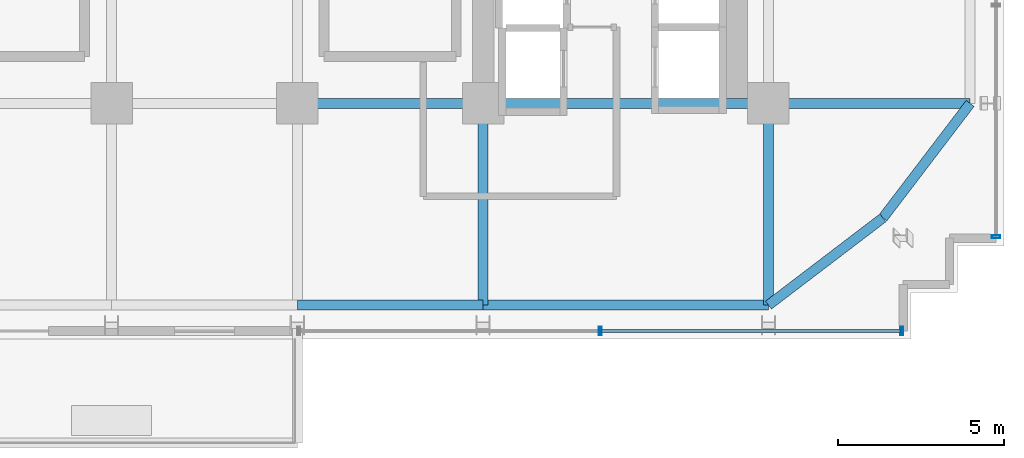
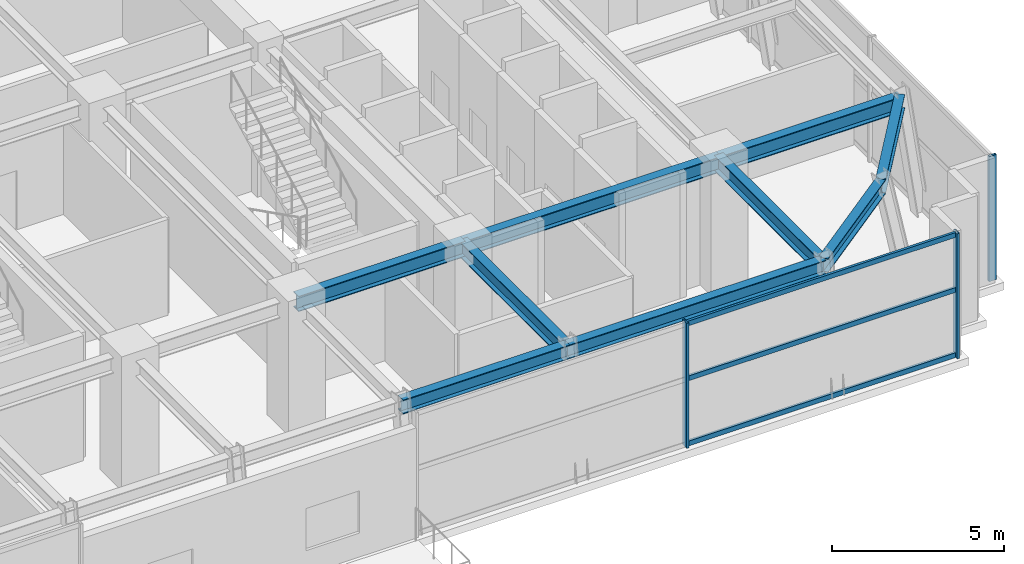
# One storey, part 8 of 26: 9 beams, 6 members, 2 elements without a shape of their own.
"""IFC4 building model written with IfcOpenShell, lengths in metres."""

from ifc_helpers import new_model, si_unit, direction, frame, origin, origin_2d, place, context, subcontext, project, spatial, hollow_rectangle, i_section, extrude, source, transform, mapped, material, material_profile, profile_set, type_object, element, aggregate, save


model = new_model("IFC4")

# Units and contexts
model_context = context("Model", 3, precision=1e-05, world=origin(), true_north=direction((0.0, 1.0)))
body_context = subcontext(model_context, "Body", "Model", "MODEL_VIEW")
ifc_project = project(units=[si_unit("LENGTHUNIT", "METRE"), si_unit("AREAUNIT", "SQUARE_METRE"), si_unit("VOLUMEUNIT", "CUBIC_METRE"), si_unit("PLANEANGLEUNIT", "RADIAN"), si_unit("MASSUNIT", "GRAM", prefix="KILO")], contexts=[model_context])

# Site, building, storey
site_placement = place(None, origin())
site = spatial("IfcSite", under=ifc_project, at=site_placement, CompositionType="ELEMENT")
building_placement = place(site_placement, origin())
building = spatial("IfcBuilding", under=site, at=building_placement, Name="Nahalor Promenade Grand Hotel", CompositionType="ELEMENT")
storey_placement = place(building_placement, frame((0.0, 0.0, 139.39990234375)))
storey = spatial("IfcBuildingStorey", under=building, at=storey_placement, Name="L35", CompositionType="ELEMENT", Elevation=139.39990234375)

# Beams
ifc_material_1 = material(Name="Steel S355JR", Category="steel")
ifc_material_profile_1 = material_profile(ifc_material_1, i_section(OverallWidth=0.3, OverallDepth=0.5, WebThickness=0.0145, FlangeThickness=0.028, at=origin_2d()), Name="HEB 500")
ifc_profile_set_1 = profile_set([ifc_material_profile_1], Name="Steel S355JR")
beam_type_1 = type_object("IfcBeamType", Name="Beam-Spandrel-HEB500", PredefinedType="SPANDREL", material=ifc_profile_set_1)
shared_shape_1 = source(origin(), body_context, "Body", "SweptSolid", [
    extrude(i_section(OverallWidth=0.3, OverallDepth=0.5, WebThickness=0.0145, FlangeThickness=0.028, at=origin_2d()), origin(), (0.0, 0.0, 1.0), 8.60009765625),
])
beam_1_placement = place(storey_placement, frame((8.39990234375, -23.080078125, 4.190185546875), z_axis=(1.0, 0.0, 0.0), x_axis=(0.0, 1.0, 0.0)))
element("IfcBeam", 1, at=beam_1_placement, inside=storey, type_object=beam_type_1, Name="BM-L35-SP-S-4", PredefinedType="SPANDREL", context=body_context, shape_type="MappedRepresentation", body=[
    mapped(shared_shape_1, transform((0.0, 0.0, 0.0), scale=1.0)),
])
shared_shape_2 = source(origin(), body_context, "Body", "SweptSolid", [
    extrude(i_section(OverallWidth=0.3, OverallDepth=0.5, WebThickness=0.0145, FlangeThickness=0.028, at=origin_2d()), origin(), (0.0, 0.0, 1.0), 5.599853515625),
])
beam_2_placement = place(storey_placement, frame((2.800048828125, -23.080078125, 4.190185546875), z_axis=(1.0, 0.0, 0.0), x_axis=(0.0, 1.0, 0.0)))
element("IfcBeam", 2, at=beam_2_placement, inside=storey, type_object=beam_type_1, Name="BM-L35-SP-S-3", PredefinedType="SPANDREL", context=body_context, shape_type="MappedRepresentation", body=[
    mapped(shared_shape_2, transform((0.0, 0.0, 0.0), scale=1.0)),
])
ifc_material_profile_2 = material_profile(ifc_material_1, i_section(OverallWidth=0.3, OverallDepth=0.55, WebThickness=0.015, FlangeThickness=0.029, at=origin_2d()), Name="HEB 550")
ifc_profile_set_2 = profile_set([ifc_material_profile_2], Name="Steel S355JR")
beam_type_2 = type_object("IfcBeamType", Name="Beam-Girder-HEB550", PredefinedType="BEAM", material=ifc_profile_set_2)
shared_shape_3 = source(origin(), body_context, "Body", "SweptSolid", [
    extrude(i_section(OverallWidth=0.3, OverallDepth=0.55, WebThickness=0.015, FlangeThickness=0.029, at=origin_2d()), origin(), (0.0, 0.0, 1.0), 8.60009765625),
])
beam_3_placement = place(storey_placement, frame((8.39990234375, -17.0, 4.1650390625), z_axis=(1.0, 0.0, 0.0), x_axis=(0.0, 1.0, 0.0)))
element("IfcBeam", 3, at=beam_3_placement, inside=storey, type_object=beam_type_2, Name="BM-L35-GX-0-5", PredefinedType="BEAM", context=body_context, shape_type="MappedRepresentation", body=[
    mapped(shared_shape_3, transform((0.0, 0.0, 0.0), scale=1.0)),
])
shared_shape_4 = source(origin(), body_context, "Body", "SweptSolid", [
    extrude(i_section(OverallWidth=0.3, OverallDepth=0.55, WebThickness=0.015, FlangeThickness=0.029, at=origin_2d()), origin(), (0.0, 0.0, 1.0), 5.599853515625),
])
beam_4_placement = place(storey_placement, frame((2.800048828125, -17.0, 4.1650390625), z_axis=(1.0, 0.0, 0.0), x_axis=(0.0, 1.0, 0.0)))
element("IfcBeam", 4, at=beam_4_placement, inside=storey, type_object=beam_type_2, Name="BM-L35-GX-0-4", PredefinedType="BEAM", context=body_context, shape_type="MappedRepresentation", body=[
    mapped(shared_shape_4, transform((0.0, 0.0, 0.0), scale=1.0)),
])
shared_shape_5 = source(origin(), body_context, "Body", "SweptSolid", [
    extrude(i_section(OverallWidth=0.3, OverallDepth=0.55, WebThickness=0.015, FlangeThickness=0.029, at=origin_2d()), origin(), (0.0, 0.0, 1.0), 6.080078125),
])
for number, where, z_axis, x_axis, name in (
    (5, (17.0, -17.0, 4.1650390625), (1.0, 0.0, 0.0), (0.0, 1.0, 0.0), "BM-L35-GX-0-6"),
    (6, (8.39990234375, -23.080078125, 4.1650390625), (0.0, 1.0, 0.0), (-1.0, 0.0, 0.0), "BM-L35-GY-4-0"),
    (7, (17.0, -23.080078125, 4.1650390625), (0.0, 1.0, 0.0), (-1.0, 0.0, 0.0), "BM-L35-GY-5-0"),
):
    element("IfcBeam", number, at=place(storey_placement, frame(where, z_axis=z_axis, x_axis=x_axis)), inside=storey, type_object=beam_type_2, Name=name, PredefinedType="BEAM", context=body_context, shape_type="MappedRepresentation", body=[
        mapped(shared_shape_5, transform((0.0, 0.0, 0.0), scale=1.0)),
    ])
shared_shape_6 = source(origin(), body_context, "Body", "SweptSolid", [
    extrude(i_section(OverallWidth=0.3, OverallDepth=0.5, WebThickness=0.0145, FlangeThickness=0.028, at=origin_2d()), origin(), (0.0, 0.0, 1.0), 4.338134765625),
])
for number, where, z_axis, x_axis, name in (
    (8, (17.0, -23.080078125, 4.190185546875), (0.795254699214, 0.606275484724, 0.0), (-0.606275484724, 0.795254699214, 0.0), "BM-L35-SPC-SE-1"),
    (9, (20.449951171875, -20.449951171875, 4.190185546875), (0.606275484724, 0.795254699214, 0.0), (-0.795254699214, 0.606275484724, 0.0), "BM-L35-SPC-SE-2"),
):
    element("IfcBeam", number, at=place(storey_placement, frame(where, z_axis=z_axis, x_axis=x_axis)), inside=storey, type_object=beam_type_1, Name=name, PredefinedType="SPANDREL", context=body_context, shape_type="MappedRepresentation", body=[
        mapped(shared_shape_6, transform((0.0, 0.0, 0.0), scale=1.0)),
    ])

# Curtain wall, members
ifc_material_2 = material(Name="Anodised Bronze Aluminium EN AW-6063 T6", Category="aluminium")
curtain_wall_type = type_object("IfcCurtainWallType", Name="CW5 Sky-Lobby & Observation Panoramic Curtain Wall", PredefinedType="USERDEFINED", material=ifc_material_2)
curtain_wall_1_placement = place(storey_placement, origin())
curtain_wall_1 = element("IfcCurtainWall", 10, at=curtain_wall_1_placement, inside=storey, type_object=curtain_wall_type, Name="L35 Curtain Wall CW-L35-S-3", ObjectType="UNITISED_CURTAIN_WALL", PredefinedType="USERDEFINED")
ifc_material_profile_3 = material_profile(ifc_material_2, hollow_rectangle(XDim=0.085, YDim=0.25, WallThickness=0.006, at=origin_2d()), Name="CWM 85x250x6")
ifc_profile_set_3 = profile_set([ifc_material_profile_3], Name="Anodised Bronze Aluminium EN AW-6063 T6")
member_type_1 = type_object("IfcMemberType", Name="CWM5 Panoramic Deep Mullion 85x250", PredefinedType="MULLION", material=ifc_profile_set_3)
shared_shape_7 = source(origin(), body_context, "Body", "SweptSolid", [
    extrude(hollow_rectangle(XDim=0.085, YDim=0.25, WallThickness=0.006, at=origin_2d()), origin(), (0.0, 0.0, 1.0), 4.440185546875),
])
member_1_placement = place(storey_placement, frame((11.929931640625, -23.860107421875, 0.0), z_axis=(0.0, 0.0, 1.0), x_axis=(1.0, 0.0, 0.0)))
member_1 = element("IfcMember", 11, at=member_1_placement, type_object=member_type_1, Name="CW-L35-S-3 Mullion 1", PredefinedType="MULLION", context=body_context, shape_type="MappedRepresentation", body=[
    mapped(shared_shape_7, transform((0.0, 0.0, 0.0), scale=1.0)),
])
member_2_placement = place(storey_placement, frame((21.017578125, -23.860107421875, 0.0), z_axis=(0.0, 0.0, 1.0), x_axis=(1.0, 0.0, 0.0)))
member_2 = element("IfcMember", 12, at=member_2_placement, type_object=member_type_1, Name="CW-L35-S-3 Mullion 2", PredefinedType="MULLION", context=body_context, shape_type="MappedRepresentation", body=[
    mapped(shared_shape_7, transform((0.0, 0.0, 0.0), scale=1.0)),
])

# Curtain wall, member
curtain_wall_2_placement = place(storey_placement, origin())
curtain_wall_2 = element("IfcCurtainWall", 13, at=curtain_wall_2_placement, inside=storey, type_object=curtain_wall_type, Name="L35 Curtain Wall CW-L35-E-1", ObjectType="UNITISED_CURTAIN_WALL", PredefinedType="USERDEFINED")
member_3_placement = place(storey_placement, frame((23.860107421875, -21.017578125, 0.0), z_axis=(0.0, 0.0, 1.0), x_axis=(0.0, 1.0, 0.0)))
member_3 = element("IfcMember", 14, at=member_3_placement, type_object=member_type_1, Name="CW-L35-E-1 Mullion 0", PredefinedType="MULLION", context=body_context, shape_type="MappedRepresentation", body=[
    mapped(shared_shape_7, transform((0.0, 0.0, 0.0), scale=1.0)),
])
aggregate(curtain_wall_2, [member_3])

# Member
ifc_material_profile_4 = material_profile(ifc_material_2, hollow_rectangle(XDim=0.085, YDim=0.17, WallThickness=0.005, at=origin_2d()), Name="CWT 85x170x5")
ifc_profile_set_4 = profile_set([ifc_material_profile_4], Name="Anodised Bronze Aluminium EN AW-6063 T6")
member_type_2 = type_object("IfcMemberType", Name="CWT5 Panoramic Transom 85x170", PredefinedType="USERDEFINED", material=ifc_profile_set_4)
shared_shape_8 = source(origin(), body_context, "Body", "SweptSolid", [
    extrude(hollow_rectangle(XDim=0.085, YDim=0.17, WallThickness=0.005, at=origin_2d()), origin(), (0.0, 0.0, 1.0), 9.002685546875),
])
member_4_placement = place(storey_placement, frame((11.972412109375, -23.860107421875, 0.085205078125), z_axis=(1.0, 0.0, 0.0), x_axis=(0.0, 1.0, 0.0)))
member_4 = element("IfcMember", 15, at=member_4_placement, type_object=member_type_2, Name="CW-L35-S-3 Transom 1-0", ObjectType="TRANSOM", PredefinedType="USERDEFINED", context=body_context, shape_type="MappedRepresentation", body=[
    mapped(shared_shape_8, transform((0.0, 0.0, 0.0), scale=1.0)),
])

member_5_placement = place(storey_placement, frame((11.972412109375, -23.860107421875, 2.400146484375), z_axis=(1.0, 0.0, 0.0), x_axis=(0.0, 1.0, 0.0)))
member_5 = element("IfcMember", 16, at=member_5_placement, type_object=member_type_2, Name="CW-L35-S-3 Transom 1-1", ObjectType="TRANSOM", PredefinedType="USERDEFINED", context=body_context, shape_type="MappedRepresentation", body=[
    mapped(shared_shape_8, transform((0.0, 0.0, 0.0), scale=1.0)),
])

member_6_placement = place(storey_placement, frame((11.972412109375, -23.860107421875, 4.35498046875), z_axis=(1.0, 0.0, 0.0), x_axis=(0.0, 1.0, 0.0)))
member_6 = element("IfcMember", 17, at=member_6_placement, type_object=member_type_2, Name="CW-L35-S-3 Transom 1-2", ObjectType="TRANSOM", PredefinedType="USERDEFINED", context=body_context, shape_type="MappedRepresentation", body=[
    mapped(shared_shape_8, transform((0.0, 0.0, 0.0), scale=1.0)),
])

aggregate(curtain_wall_1, [member_1, member_2, member_4, member_5, member_6])

save(model, "model.ifc")
